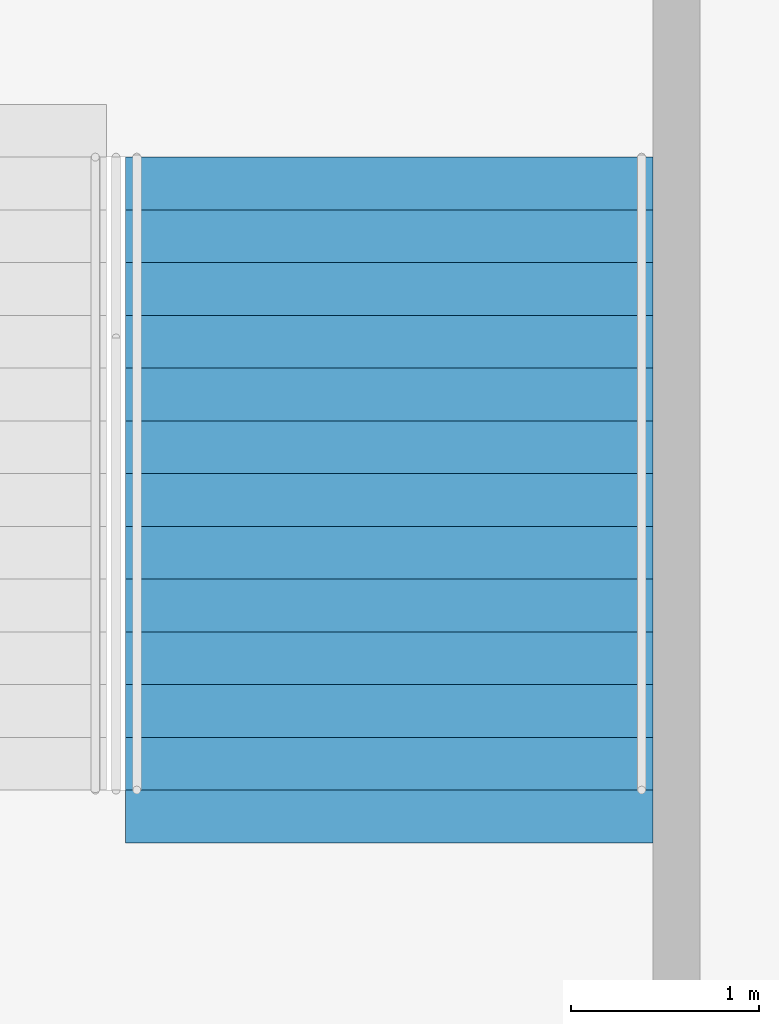
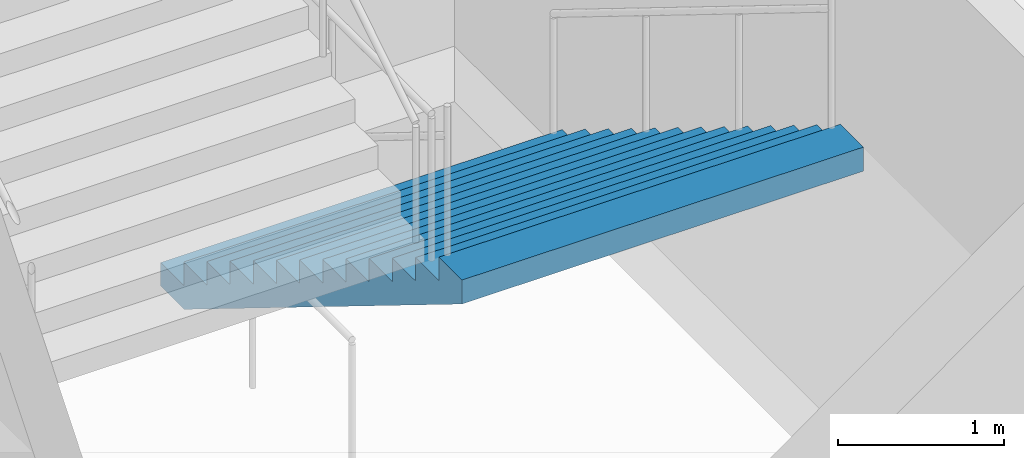
# One storey, part 149 of 249: 1 stair flight, 1 element without a shape of its own.
"""IFC4 building model written with IfcOpenShell, lengths in metres."""

from ifc_helpers import new_model, si_unit, direction, frame, origin, place, context, subcontext, project, spatial, faceted_brep, material, type_object, element, aggregate, save


model = new_model("IFC4")

# Units and contexts
model_context = context("Model", 3, precision=1e-05, world=origin(), true_north=direction((0.0, 1.0)))
body_context = subcontext(model_context, "Body", "Model", "MODEL_VIEW")
ifc_project = project(units=[si_unit("LENGTHUNIT", "METRE"), si_unit("AREAUNIT", "SQUARE_METRE"), si_unit("VOLUMEUNIT", "CUBIC_METRE"), si_unit("PLANEANGLEUNIT", "RADIAN"), si_unit("MASSUNIT", "GRAM", prefix="KILO")], contexts=[model_context])

# Site, building, storey
site_placement = place(None, origin())
site = spatial("IfcSite", under=ifc_project, at=site_placement, CompositionType="ELEMENT")
building_placement = place(site_placement, origin())
building = spatial("IfcBuilding", under=site, at=building_placement, Name="Ogive Plaza Stadium", CompositionType="ELEMENT")
storey_placement = place(building_placement, frame((0.0, 0.0, 13.5)))
storey = spatial("IfcBuildingStorey", under=building, at=storey_placement, Name="L03", CompositionType="ELEMENT", Elevation=13.5)

# Stair, stair flight
ifc_material_1 = material(Name="Concrete C40/50", Category="concrete")
stair_type = type_object("IfcStairType", Name="Exit stair", PredefinedType="STRAIGHT_RUN_STAIR", material=ifc_material_1)
stair_placement = place(storey_placement, origin())
stair = element("IfcStair", 1, at=stair_placement, inside=storey, type_object=stair_type, Name="Exit stair ST14B L03 to L04", PredefinedType="STRAIGHT_RUN_STAIR")
ifc_material_2 = material(Name="Concrete C40/50", Category="concrete")
stair_flight_type = type_object("IfcStairFlightType", Name="Exit stair flight", PredefinedType="STRAIGHT", material=ifc_material_2)
stair_flight_placement = place(storey_placement, frame((11.22509765625, -94.85009765625, 0.0), z_axis=(0.0, 0.0, 1.0), x_axis=(0.0, -1.0, 0.0)))
stair_flight = element("IfcStairFlight", 2, at=stair_flight_placement, type_object=stair_flight_type, Name="ST14B flight 1", NumberOfRisers=13, NumberOfTreads=12, PredefinedType="STRAIGHT", RiserHeight=0.173076923, TreadLength=0.28, context=body_context, shape_type="Brep", body=[
    faceted_brep([(0.28515625, -1.39990234375, 0.0), (3.639892578125, -1.39990234375, 2.07373046875), (3.639892578125, -1.39990234375, 2.25), (3.360107421875, -1.39990234375, 2.25), (3.360107421875, -1.39990234375, 2.076904296875), (3.080078125, -1.39990234375, 2.076904296875), (3.080078125, -1.39990234375, 1.90380859375), (2.800048828125, -1.39990234375, 1.90380859375), (2.800048828125, -1.39990234375, 1.730712890625), (2.52001953125, -1.39990234375, 1.730712890625), (2.52001953125, -1.39990234375, 1.5576171875), (2.239990234375, -1.39990234375, 1.5576171875), (2.239990234375, -1.39990234375, 1.384521484375), (1.9599609375, -1.39990234375, 1.384521484375), (1.9599609375, -1.39990234375, 1.21142578125), (1.679931640625, -1.39990234375, 1.21142578125), (1.679931640625, -1.39990234375, 1.03857421875), (1.39990234375, -1.39990234375, 1.03857421875), (1.39990234375, -1.39990234375, 0.865478515625), (1.1201171875, -1.39990234375, 0.865478515625), (1.1201171875, -1.39990234375, 0.6923828125), (0.840087890625, -1.39990234375, 0.6923828125), (0.840087890625, -1.39990234375, 0.519287109375), (0.56005859375, -1.39990234375, 0.519287109375), (0.56005859375, -1.39990234375, 0.34619140625), (0.280029296875, -1.39990234375, 0.34619140625), (0.280029296875, -1.39990234375, 0.173095703125), (0.0, -1.39990234375, 0.173095703125), (0.0, -1.39990234375, 0.0), (0.0, 1.39990234375, 0.0), (0.0, 1.39990234375, 0.173095703125), (0.280029296875, 1.39990234375, 0.173095703125), (0.280029296875, 1.39990234375, 0.34619140625), (0.56005859375, 1.39990234375, 0.34619140625), (0.56005859375, 1.39990234375, 0.519287109375), (0.840087890625, 1.39990234375, 0.519287109375), (0.840087890625, 1.39990234375, 0.6923828125), (1.1201171875, 1.39990234375, 0.6923828125), (1.1201171875, 1.39990234375, 0.865478515625), (1.39990234375, 1.39990234375, 0.865478515625), (1.39990234375, 1.39990234375, 1.03857421875), (1.679931640625, 1.39990234375, 1.03857421875), (1.679931640625, 1.39990234375, 1.21142578125), (1.9599609375, 1.39990234375, 1.21142578125), (1.9599609375, 1.39990234375, 1.384521484375), (2.239990234375, 1.39990234375, 1.384521484375), (2.239990234375, 1.39990234375, 1.5576171875), (2.52001953125, 1.39990234375, 1.5576171875), (2.52001953125, 1.39990234375, 1.730712890625), (2.800048828125, 1.39990234375, 1.730712890625), (2.800048828125, 1.39990234375, 1.90380859375), (3.080078125, 1.39990234375, 1.90380859375), (3.080078125, 1.39990234375, 2.076904296875), (3.360107421875, 1.39990234375, 2.076904296875), (3.360107421875, 1.39990234375, 2.25), (3.639892578125, 1.39990234375, 2.25), (3.639892578125, 1.39990234375, 2.07373046875), (0.28515625, 1.39990234375, 0.0), (0.28515625, -1.0888671875, 0.0), (3.639892578125, -1.0888671875, 2.07373046875), (0.28515625, -0.77783203125, 0.0), (3.639892578125, -0.77783203125, 2.07373046875), (0.28515625, -0.466796875, 0.0), (3.639892578125, -0.466796875, 2.07373046875), (0.28515625, -0.155517578125, 0.0), (3.639892578125, -0.155517578125, 2.07373046875), (0.28515625, 0.155517578125, 0.0), (3.639892578125, 0.155517578125, 2.07373046875), (0.28515625, 0.466796875, 0.0), (3.639892578125, 0.466796875, 2.07373046875), (0.28515625, 0.77783203125, 0.0), (3.639892578125, 0.77783203125, 2.07373046875), (0.28515625, 1.0888671875, 0.0), (3.639892578125, 1.0888671875, 2.07373046875), (3.639892578125, -1.0888671875, 2.25), (3.639892578125, -0.77783203125, 2.25), (3.639892578125, -0.466796875, 2.25), (3.639892578125, -0.155517578125, 2.25), (3.639892578125, 0.155517578125, 2.25), (3.639892578125, 0.466796875, 2.25), (3.639892578125, 0.77783203125, 2.25), (3.639892578125, 1.0888671875, 2.25), (3.360107421875, -1.0888671875, 2.25), (3.360107421875, -0.77783203125, 2.25), (3.360107421875, -0.466796875, 2.25), (3.360107421875, -0.155517578125, 2.25), (3.360107421875, 0.155517578125, 2.25), (3.360107421875, 0.466796875, 2.25), (3.360107421875, 0.77783203125, 2.25), (3.360107421875, 1.0888671875, 2.25), (3.360107421875, -1.0888671875, 2.076904296875), (3.360107421875, -0.77783203125, 2.076904296875), (3.360107421875, -0.466796875, 2.076904296875), (3.360107421875, -0.155517578125, 2.076904296875), (3.360107421875, 0.155517578125, 2.076904296875), (3.360107421875, 0.466796875, 2.076904296875), (3.360107421875, 0.77783203125, 2.076904296875), (3.360107421875, 1.0888671875, 2.076904296875), (3.080078125, -1.0888671875, 2.076904296875), (3.080078125, -0.77783203125, 2.076904296875), (3.080078125, -0.466796875, 2.076904296875), (3.080078125, -0.155517578125, 2.076904296875), (3.080078125, 0.155517578125, 2.076904296875), (3.080078125, 0.466796875, 2.076904296875), (3.080078125, 0.77783203125, 2.076904296875), (3.080078125, 1.0888671875, 2.076904296875), (3.080078125, -1.0888671875, 1.90380859375), (3.080078125, -0.77783203125, 1.90380859375), (3.080078125, -0.466796875, 1.90380859375), (3.080078125, -0.155517578125, 1.90380859375), (3.080078125, 0.155517578125, 1.90380859375), (3.080078125, 0.466796875, 1.90380859375), (3.080078125, 0.77783203125, 1.90380859375), (3.080078125, 1.0888671875, 1.90380859375), (2.800048828125, -1.0888671875, 1.90380859375), (2.800048828125, -0.77783203125, 1.90380859375), (2.800048828125, -0.466796875, 1.90380859375), (2.800048828125, -0.155517578125, 1.90380859375), (2.800048828125, 0.155517578125, 1.90380859375), (2.800048828125, 0.466796875, 1.90380859375), (2.800048828125, 0.77783203125, 1.90380859375), (2.800048828125, 1.0888671875, 1.90380859375), (2.800048828125, -1.0888671875, 1.730712890625), (2.800048828125, -0.77783203125, 1.730712890625), (2.800048828125, -0.466796875, 1.730712890625), (2.800048828125, -0.155517578125, 1.730712890625), (2.800048828125, 0.155517578125, 1.730712890625), (2.800048828125, 0.466796875, 1.730712890625), (2.800048828125, 0.77783203125, 1.730712890625), (2.800048828125, 1.0888671875, 1.730712890625), (2.52001953125, -1.0888671875, 1.730712890625), (2.52001953125, -0.77783203125, 1.730712890625), (2.52001953125, -0.466796875, 1.730712890625), (2.52001953125, -0.155517578125, 1.730712890625), (2.52001953125, 0.155517578125, 1.730712890625), (2.52001953125, 0.466796875, 1.730712890625), (2.52001953125, 0.77783203125, 1.730712890625), (2.52001953125, 1.0888671875, 1.730712890625), (2.52001953125, -1.0888671875, 1.5576171875), (2.52001953125, -0.77783203125, 1.5576171875), (2.52001953125, -0.466796875, 1.5576171875), (2.52001953125, -0.155517578125, 1.5576171875), (2.52001953125, 0.155517578125, 1.5576171875), (2.52001953125, 0.466796875, 1.5576171875), (2.52001953125, 0.77783203125, 1.5576171875), (2.52001953125, 1.0888671875, 1.5576171875), (2.239990234375, -1.0888671875, 1.5576171875), (2.239990234375, -0.77783203125, 1.5576171875), (2.239990234375, -0.466796875, 1.5576171875), (2.239990234375, -0.155517578125, 1.5576171875), (2.239990234375, 0.155517578125, 1.5576171875), (2.239990234375, 0.466796875, 1.5576171875), (2.239990234375, 0.77783203125, 1.5576171875), (2.239990234375, 1.0888671875, 1.5576171875), (2.239990234375, -1.0888671875, 1.384521484375), (2.239990234375, -0.77783203125, 1.384521484375), (2.239990234375, -0.466796875, 1.384521484375), (2.239990234375, -0.155517578125, 1.384521484375), (2.239990234375, 0.155517578125, 1.384521484375), (2.239990234375, 0.466796875, 1.384521484375), (2.239990234375, 0.77783203125, 1.384521484375), (2.239990234375, 1.0888671875, 1.384521484375), (1.9599609375, -1.0888671875, 1.384521484375), (1.9599609375, -0.77783203125, 1.384521484375), (1.9599609375, -0.466796875, 1.384521484375), (1.9599609375, -0.155517578125, 1.384521484375), (1.9599609375, 0.155517578125, 1.384521484375), (1.9599609375, 0.466796875, 1.384521484375), (1.9599609375, 0.77783203125, 1.384521484375), (1.9599609375, 1.0888671875, 1.384521484375), (1.9599609375, -1.0888671875, 1.21142578125), (1.9599609375, -0.77783203125, 1.21142578125), (1.9599609375, -0.466796875, 1.21142578125), (1.9599609375, -0.155517578125, 1.21142578125), (1.9599609375, 0.155517578125, 1.21142578125), (1.9599609375, 0.466796875, 1.21142578125), (1.9599609375, 0.77783203125, 1.21142578125), (1.9599609375, 1.0888671875, 1.21142578125), (1.679931640625, -1.0888671875, 1.21142578125), (1.679931640625, -0.77783203125, 1.21142578125), (1.679931640625, -0.466796875, 1.21142578125), (1.679931640625, -0.155517578125, 1.21142578125), (1.679931640625, 0.155517578125, 1.21142578125), (1.679931640625, 0.466796875, 1.21142578125), (1.679931640625, 0.77783203125, 1.21142578125), (1.679931640625, 1.0888671875, 1.21142578125), (1.679931640625, -1.0888671875, 1.03857421875), (1.679931640625, -0.77783203125, 1.03857421875), (1.679931640625, -0.466796875, 1.03857421875), (1.679931640625, -0.155517578125, 1.03857421875), (1.679931640625, 0.155517578125, 1.03857421875), (1.679931640625, 0.466796875, 1.03857421875), (1.679931640625, 0.77783203125, 1.03857421875), (1.679931640625, 1.0888671875, 1.03857421875), (1.39990234375, -1.0888671875, 1.03857421875), (1.39990234375, -0.77783203125, 1.03857421875), (1.39990234375, -0.466796875, 1.03857421875), (1.39990234375, -0.155517578125, 1.03857421875), (1.39990234375, 0.155517578125, 1.03857421875), (1.39990234375, 0.466796875, 1.03857421875), (1.39990234375, 0.77783203125, 1.03857421875), (1.39990234375, 1.0888671875, 1.03857421875), (1.39990234375, -1.0888671875, 0.865478515625), (1.39990234375, -0.77783203125, 0.865478515625), (1.39990234375, -0.466796875, 0.865478515625), (1.39990234375, -0.155517578125, 0.865478515625), (1.39990234375, 0.155517578125, 0.865478515625), (1.39990234375, 0.466796875, 0.865478515625), (1.39990234375, 0.77783203125, 0.865478515625), (1.39990234375, 1.0888671875, 0.865478515625), (1.1201171875, -1.0888671875, 0.865478515625), (1.1201171875, -0.77783203125, 0.865478515625), (1.1201171875, -0.466796875, 0.865478515625), (1.1201171875, -0.155517578125, 0.865478515625), (1.1201171875, 0.155517578125, 0.865478515625), (1.1201171875, 0.466796875, 0.865478515625), (1.1201171875, 0.77783203125, 0.865478515625), (1.1201171875, 1.0888671875, 0.865478515625), (1.1201171875, -1.0888671875, 0.6923828125), (1.1201171875, -0.77783203125, 0.6923828125), (1.1201171875, -0.466796875, 0.6923828125), (1.1201171875, -0.155517578125, 0.6923828125), (1.1201171875, 0.155517578125, 0.6923828125), (1.1201171875, 0.466796875, 0.6923828125), (1.1201171875, 0.77783203125, 0.6923828125), (1.1201171875, 1.0888671875, 0.6923828125), (0.840087890625, -1.0888671875, 0.6923828125), (0.840087890625, -0.77783203125, 0.6923828125), (0.840087890625, -0.466796875, 0.6923828125), (0.840087890625, -0.155517578125, 0.6923828125), (0.840087890625, 0.155517578125, 0.6923828125), (0.840087890625, 0.466796875, 0.6923828125), (0.840087890625, 0.77783203125, 0.6923828125), (0.840087890625, 1.0888671875, 0.6923828125), (0.840087890625, -1.0888671875, 0.519287109375), (0.840087890625, -0.77783203125, 0.519287109375), (0.840087890625, -0.466796875, 0.519287109375), (0.840087890625, -0.155517578125, 0.519287109375), (0.840087890625, 0.155517578125, 0.519287109375), (0.840087890625, 0.466796875, 0.519287109375), (0.840087890625, 0.77783203125, 0.519287109375), (0.840087890625, 1.0888671875, 0.519287109375), (0.56005859375, -1.0888671875, 0.519287109375), (0.56005859375, -0.77783203125, 0.519287109375), (0.56005859375, -0.466796875, 0.519287109375), (0.56005859375, -0.155517578125, 0.519287109375), (0.56005859375, 0.155517578125, 0.519287109375), (0.56005859375, 0.466796875, 0.519287109375), (0.56005859375, 0.77783203125, 0.519287109375), (0.56005859375, 1.0888671875, 0.519287109375), (0.56005859375, -1.0888671875, 0.34619140625), (0.56005859375, -0.77783203125, 0.34619140625), (0.56005859375, -0.466796875, 0.34619140625), (0.56005859375, -0.155517578125, 0.34619140625), (0.56005859375, 0.155517578125, 0.34619140625), (0.56005859375, 0.466796875, 0.34619140625), (0.56005859375, 0.77783203125, 0.34619140625), (0.56005859375, 1.0888671875, 0.34619140625), (0.280029296875, -1.0888671875, 0.34619140625), (0.280029296875, -0.77783203125, 0.34619140625), (0.280029296875, -0.466796875, 0.34619140625), (0.280029296875, -0.155517578125, 0.34619140625), (0.280029296875, 0.155517578125, 0.34619140625), (0.280029296875, 0.466796875, 0.34619140625), (0.280029296875, 0.77783203125, 0.34619140625), (0.280029296875, 1.0888671875, 0.34619140625), (0.280029296875, -1.0888671875, 0.173095703125), (0.280029296875, -0.77783203125, 0.173095703125), (0.280029296875, -0.466796875, 0.173095703125), (0.280029296875, -0.155517578125, 0.173095703125), (0.280029296875, 0.155517578125, 0.173095703125), (0.280029296875, 0.466796875, 0.173095703125), (0.280029296875, 0.77783203125, 0.173095703125), (0.280029296875, 1.0888671875, 0.173095703125), (0.0, -1.0888671875, 0.173095703125), (0.0, -0.77783203125, 0.173095703125), (0.0, -0.466796875, 0.173095703125), (0.0, -0.155517578125, 0.173095703125), (0.0, 0.155517578125, 0.173095703125), (0.0, 0.466796875, 0.173095703125), (0.0, 0.77783203125, 0.173095703125), (0.0, 1.0888671875, 0.173095703125), (0.0, -1.0888671875, 0.0), (0.0, -0.77783203125, 0.0), (0.0, -0.466796875, 0.0), (0.0, -0.155517578125, 0.0), (0.0, 0.155517578125, 0.0), (0.0, 0.466796875, 0.0), (0.0, 0.77783203125, 0.0), (0.0, 1.0888671875, 0.0)], [[[0, 1, 2, 3, 4, 5, 6, 7, 8, 9, 10, 11, 12, 13, 14, 15, 16, 17, 18, 19, 20, 21, 22, 23, 24, 25, 26, 27, 28]], [[29, 30, 31, 32, 33, 34, 35, 36, 37, 38, 39, 40, 41, 42, 43, 44, 45, 46, 47, 48, 49, 50, 51, 52, 53, 54, 55, 56, 57]], [[0, 58, 59, 1]], [[58, 60, 61, 59]], [[60, 62, 63, 61]], [[62, 64, 65, 63]], [[64, 66, 67, 65]], [[66, 68, 69, 67]], [[68, 70, 71, 69]], [[70, 72, 73, 71]], [[72, 57, 56, 73]], [[1, 59, 74, 2]], [[59, 61, 75, 74]], [[61, 63, 76, 75]], [[63, 65, 77, 76]], [[65, 67, 78, 77]], [[67, 69, 79, 78]], [[69, 71, 80, 79]], [[71, 73, 81, 80]], [[73, 56, 55, 81]], [[2, 74, 82, 3]], [[74, 75, 83, 82]], [[75, 76, 84, 83]], [[76, 77, 85, 84]], [[77, 78, 86, 85]], [[78, 79, 87, 86]], [[79, 80, 88, 87]], [[80, 81, 89, 88]], [[81, 55, 54, 89]], [[3, 82, 90, 4]], [[82, 83, 91, 90]], [[83, 84, 92, 91]], [[84, 85, 93, 92]], [[85, 86, 94, 93]], [[86, 87, 95, 94]], [[87, 88, 96, 95]], [[88, 89, 97, 96]], [[89, 54, 53, 97]], [[4, 90, 98, 5]], [[90, 91, 99, 98]], [[91, 92, 100, 99]], [[92, 93, 101, 100]], [[93, 94, 102, 101]], [[94, 95, 103, 102]], [[95, 96, 104, 103]], [[96, 97, 105, 104]], [[97, 53, 52, 105]], [[5, 98, 106, 6]], [[98, 99, 107, 106]], [[99, 100, 108, 107]], [[100, 101, 109, 108]], [[101, 102, 110, 109]], [[102, 103, 111, 110]], [[103, 104, 112, 111]], [[104, 105, 113, 112]], [[105, 52, 51, 113]], [[6, 106, 114, 7]], [[106, 107, 115, 114]], [[107, 108, 116, 115]], [[108, 109, 117, 116]], [[109, 110, 118, 117]], [[110, 111, 119, 118]], [[111, 112, 120, 119]], [[112, 113, 121, 120]], [[113, 51, 50, 121]], [[7, 114, 122, 8]], [[114, 115, 123, 122]], [[115, 116, 124, 123]], [[116, 117, 125, 124]], [[117, 118, 126, 125]], [[118, 119, 127, 126]], [[119, 120, 128, 127]], [[120, 121, 129, 128]], [[121, 50, 49, 129]], [[8, 122, 130, 9]], [[122, 123, 131, 130]], [[123, 124, 132, 131]], [[124, 125, 133, 132]], [[125, 126, 134, 133]], [[126, 127, 135, 134]], [[127, 128, 136, 135]], [[128, 129, 137, 136]], [[129, 49, 48, 137]], [[9, 130, 138, 10]], [[130, 131, 139, 138]], [[131, 132, 140, 139]], [[132, 133, 141, 140]], [[133, 134, 142, 141]], [[134, 135, 143, 142]], [[135, 136, 144, 143]], [[136, 137, 145, 144]], [[137, 48, 47, 145]], [[10, 138, 146, 11]], [[138, 139, 147, 146]], [[139, 140, 148, 147]], [[140, 141, 149, 148]], [[141, 142, 150, 149]], [[142, 143, 151, 150]], [[143, 144, 152, 151]], [[144, 145, 153, 152]], [[145, 47, 46, 153]], [[11, 146, 154, 12]], [[146, 147, 155, 154]], [[147, 148, 156, 155]], [[148, 149, 157, 156]], [[149, 150, 158, 157]], [[150, 151, 159, 158]], [[151, 152, 160, 159]], [[152, 153, 161, 160]], [[153, 46, 45, 161]], [[12, 154, 162, 13]], [[154, 155, 163, 162]], [[155, 156, 164, 163]], [[156, 157, 165, 164]], [[157, 158, 166, 165]], [[158, 159, 167, 166]], [[159, 160, 168, 167]], [[160, 161, 169, 168]], [[161, 45, 44, 169]], [[13, 162, 170, 14]], [[162, 163, 171, 170]], [[163, 164, 172, 171]], [[164, 165, 173, 172]], [[165, 166, 174, 173]], [[166, 167, 175, 174]], [[167, 168, 176, 175]], [[168, 169, 177, 176]], [[169, 44, 43, 177]], [[14, 170, 178, 15]], [[170, 171, 179, 178]], [[171, 172, 180, 179]], [[172, 173, 181, 180]], [[173, 174, 182, 181]], [[174, 175, 183, 182]], [[175, 176, 184, 183]], [[176, 177, 185, 184]], [[177, 43, 42, 185]], [[15, 178, 186, 16]], [[178, 179, 187, 186]], [[179, 180, 188, 187]], [[180, 181, 189, 188]], [[181, 182, 190, 189]], [[182, 183, 191, 190]], [[183, 184, 192, 191]], [[184, 185, 193, 192]], [[185, 42, 41, 193]], [[16, 186, 194, 17]], [[186, 187, 195, 194]], [[187, 188, 196, 195]], [[188, 189, 197, 196]], [[189, 190, 198, 197]], [[190, 191, 199, 198]], [[191, 192, 200, 199]], [[192, 193, 201, 200]], [[193, 41, 40, 201]], [[17, 194, 202, 18]], [[194, 195, 203, 202]], [[195, 196, 204, 203]], [[196, 197, 205, 204]], [[197, 198, 206, 205]], [[198, 199, 207, 206]], [[199, 200, 208, 207]], [[200, 201, 209, 208]], [[201, 40, 39, 209]], [[18, 202, 210, 19]], [[202, 203, 211, 210]], [[203, 204, 212, 211]], [[204, 205, 213, 212]], [[205, 206, 214, 213]], [[206, 207, 215, 214]], [[207, 208, 216, 215]], [[208, 209, 217, 216]], [[209, 39, 38, 217]], [[19, 210, 218, 20]], [[210, 211, 219, 218]], [[211, 212, 220, 219]], [[212, 213, 221, 220]], [[213, 214, 222, 221]], [[214, 215, 223, 222]], [[215, 216, 224, 223]], [[216, 217, 225, 224]], [[217, 38, 37, 225]], [[20, 218, 226, 21]], [[218, 219, 227, 226]], [[219, 220, 228, 227]], [[220, 221, 229, 228]], [[221, 222, 230, 229]], [[222, 223, 231, 230]], [[223, 224, 232, 231]], [[224, 225, 233, 232]], [[225, 37, 36, 233]], [[21, 226, 234, 22]], [[226, 227, 235, 234]], [[227, 228, 236, 235]], [[228, 229, 237, 236]], [[229, 230, 238, 237]], [[230, 231, 239, 238]], [[231, 232, 240, 239]], [[232, 233, 241, 240]], [[233, 36, 35, 241]], [[22, 234, 242, 23]], [[234, 235, 243, 242]], [[235, 236, 244, 243]], [[236, 237, 245, 244]], [[237, 238, 246, 245]], [[238, 239, 247, 246]], [[239, 240, 248, 247]], [[240, 241, 249, 248]], [[241, 35, 34, 249]], [[23, 242, 250, 24]], [[242, 243, 251, 250]], [[243, 244, 252, 251]], [[244, 245, 253, 252]], [[245, 246, 254, 253]], [[246, 247, 255, 254]], [[247, 248, 256, 255]], [[248, 249, 257, 256]], [[249, 34, 33, 257]], [[24, 250, 258, 25]], [[250, 251, 259, 258]], [[251, 252, 260, 259]], [[252, 253, 261, 260]], [[253, 254, 262, 261]], [[254, 255, 263, 262]], [[255, 256, 264, 263]], [[256, 257, 265, 264]], [[257, 33, 32, 265]], [[25, 258, 266, 26]], [[258, 259, 267, 266]], [[259, 260, 268, 267]], [[260, 261, 269, 268]], [[261, 262, 270, 269]], [[262, 263, 271, 270]], [[263, 264, 272, 271]], [[264, 265, 273, 272]], [[265, 32, 31, 273]], [[26, 266, 274, 27]], [[266, 267, 275, 274]], [[267, 268, 276, 275]], [[268, 269, 277, 276]], [[269, 270, 278, 277]], [[270, 271, 279, 278]], [[271, 272, 280, 279]], [[272, 273, 281, 280]], [[273, 31, 30, 281]], [[27, 274, 282, 28]], [[274, 275, 283, 282]], [[275, 276, 284, 283]], [[276, 277, 285, 284]], [[277, 278, 286, 285]], [[278, 279, 287, 286]], [[279, 280, 288, 287]], [[280, 281, 289, 288]], [[281, 30, 29, 289]], [[28, 282, 58, 0]], [[282, 283, 60, 58]], [[283, 284, 62, 60]], [[284, 285, 64, 62]], [[285, 286, 66, 64]], [[286, 287, 68, 66]], [[287, 288, 70, 68]], [[288, 289, 72, 70]], [[289, 29, 57, 72]]]),
])
aggregate(stair, [stair_flight])

save(model, "model.ifc")
